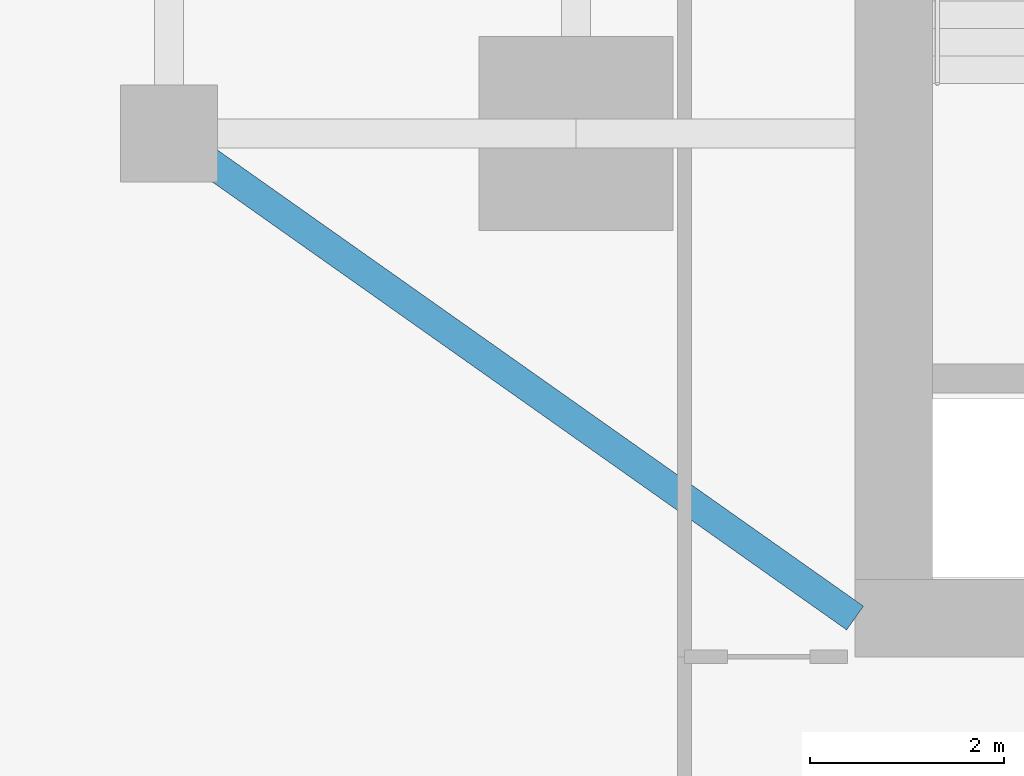
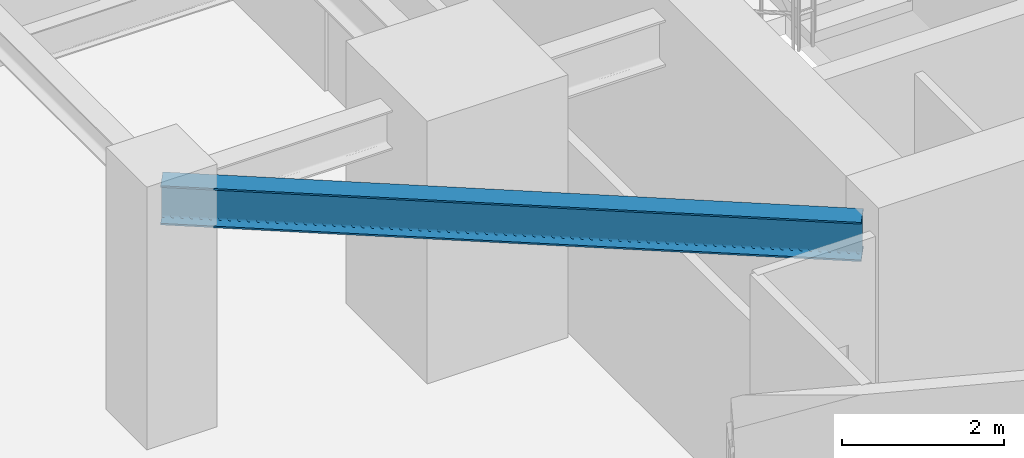
# One storey, part 4 of 26: 1 beam.
"""IFC4 building model written with IfcOpenShell, lengths in metres."""

from ifc_helpers import new_model, si_unit, direction, frame, origin, origin_2d, place, context, subcontext, project, spatial, i_section, extrude, source, transform, mapped, material, material_profile, profile_set, type_object, type_shapes, element, save


model = new_model("IFC4")

# Units and contexts
model_context = context("Model", 3, precision=1e-05, world=origin(), true_north=direction((0.0, 1.0)))
body_context = subcontext(model_context, "Body", "Model", "MODEL_VIEW")
ifc_project = project(units=[si_unit("LENGTHUNIT", "METRE"), si_unit("AREAUNIT", "SQUARE_METRE"), si_unit("VOLUMEUNIT", "CUBIC_METRE"), si_unit("PLANEANGLEUNIT", "RADIAN"), si_unit("MASSUNIT", "GRAM", prefix="KILO")], contexts=[model_context])

# Site, building, storey
site_placement = place(None, origin())
site = spatial("IfcSite", under=ifc_project, at=site_placement, CompositionType="ELEMENT")
building_placement = place(site_placement, origin())
building = spatial("IfcBuilding", under=site, at=building_placement, Name="Krantzveldt Concourse Tower", CompositionType="ELEMENT")
storey_placement = place(building_placement, frame((0.0, 0.0, 137.449951171875)))
storey = spatial("IfcBuildingStorey", under=building, at=storey_placement, Name="L33", CompositionType="ELEMENT", Elevation=137.449951171875)

# Beam
ifc_material = material(Name="Steel S355JR", Category="steel")
ifc_material_profile = material_profile(ifc_material, i_section(OverallWidth=0.300048828125, OverallDepth=0.590087890625, WebThickness=0.012939453125, FlangeThickness=0.02490234375, FilletRadius=0.027099609375, at=origin_2d()), Name="Steel S355JR", Category="steel")
ifc_profile_set = profile_set([ifc_material_profile], Name="Steel S355JR - HEA 600")
beam_type = type_object("IfcBeamType", Name="BM-B-HEA600", PredefinedType="BEAM", material=ifc_profile_set)
shared_shape = source(origin(), body_context, "Body", "SweptSolid", [
    extrude(i_section(OverallWidth=0.300048828125, OverallDepth=0.590087890625, WebThickness=0.012939453125, FlangeThickness=0.02490234375, FilletRadius=0.027099609375, at=origin_2d()), origin(), (0.0, 0.0, 1.0), 8.667724609375),
])
type_shapes(beam_type, [shared_shape])
beam_placement = place(storey_placement, frame((21.0, 15.89990234375, 3.304931640625), z_axis=(0.81684294656, -0.576860122261, 0.0), x_axis=(0.576860122261, 0.81684294656, 0.0)))
element("IfcBeam", 1, at=beam_placement, inside=storey, type_object=beam_type, Name="L33 Tower Girder BR-CSW", PredefinedType="BEAM", context=body_context, shape_type="MappedRepresentation", body=[
    mapped(shared_shape, transform((0.0, 0.0, 0.0), x_axis=(1.0, 0.0, 0.0), y_axis=(0.0, 1.0, 0.0), z_axis=(0.0, 0.0, 1.0), scale=1.0)),
])

save(model, "model.ifc")
